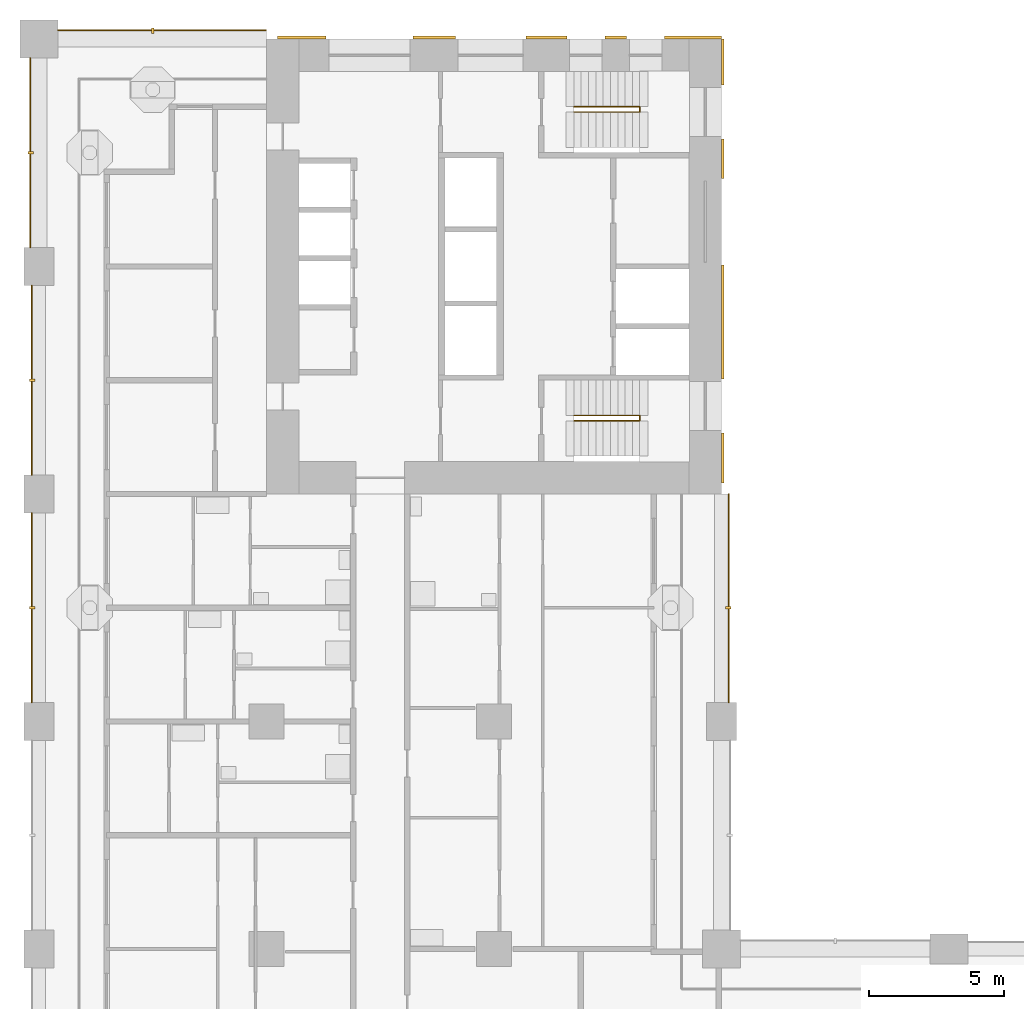
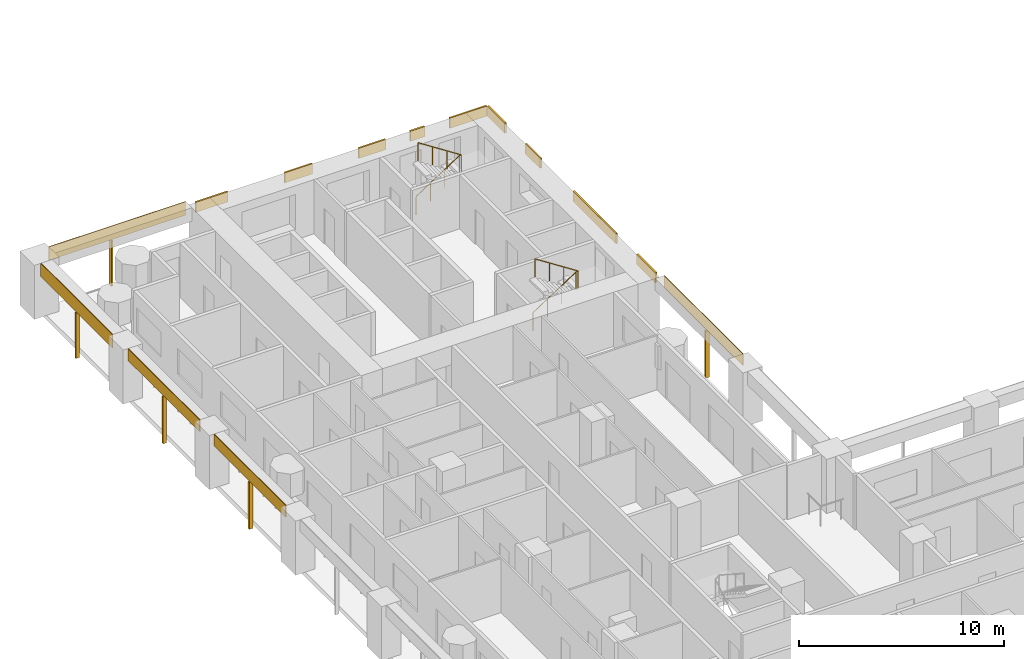
# One storey, part 17 of 23: 19 shading devices, 2 railings.
"""IFC4 building model written with IfcOpenShell, lengths in metres."""

from ifc_helpers import new_model, si_unit, direction, frame, origin, origin_2d, place, context, subcontext, project, spatial, rectangle, circle, extrude, material, layer, layer_set, material_profile, profile_set, type_object, element, save


model = new_model("IFC4")

# Units and contexts
model_context = context("Model", 3, precision=1e-05, world=origin(), true_north=direction((0.0, 1.0)))
body_context = subcontext(model_context, "Body", "Model", "MODEL_VIEW")
ifc_project = project(units=[si_unit("LENGTHUNIT", "METRE"), si_unit("AREAUNIT", "SQUARE_METRE"), si_unit("VOLUMEUNIT", "CUBIC_METRE"), si_unit("PLANEANGLEUNIT", "RADIAN"), si_unit("MASSUNIT", "GRAM", prefix="KILO")], contexts=[model_context])

# Site, building, storey
site_placement = place(None, origin())
site = spatial("IfcSite", under=ifc_project, at=site_placement, CompositionType="ELEMENT")
building_placement = place(site_placement, origin())
building = spatial("IfcBuilding", under=site, at=building_placement, Name="Vermilion Gate Residences", CompositionType="ELEMENT")
storey_placement = place(building_placement, frame((0.0, 0.0, 25.199951171875)))
storey = spatial("IfcBuildingStorey", under=building, at=storey_placement, Name="L04", CompositionType="ELEMENT", Elevation=25.199951171875)

# Shading devices
ifc_material_1 = material(Name="Perforated terracotta", Category="masonry")
ifc_layer_1 = layer(ifc_material_1, 0.0400390625)
ifc_layer_set_1 = layer_set([ifc_layer_1], Name="PERFORATED TERRACOTTA SCREEN 40")
shading_device_type_1 = type_object("IfcShadingDeviceType", Name="PERFORATED TERRACOTTA SCREEN 40", PredefinedType="SHUTTER", material=ifc_layer_set_1)
shading_device_1_placement = place(storey_placement, frame((25.469970703125, 38.14990234375, 2.52001953125), z_axis=(0.0, 0.0, 1.0), x_axis=(0.0, 1.0, 0.0)))
element("IfcShadingDevice", 1, at=shading_device_1_placement, inside=storey, type_object=shading_device_type_1, Name="SCREEN", PredefinedType="SHUTTER", context=body_context, shape_type="SweptSolid", body=[
    extrude(rectangle(XDim=7.699951171875, YDim=0.0400390625, at=origin_2d()), origin(), (0.0, 0.0, 1.0), 0.699951171875),
])
shading_device_2_placement = place(storey_placement, frame((4.550048828125, 59.1201171875, 2.419921875), z_axis=(0.0, 0.0, 1.0), x_axis=(-1.0, 0.0, 0.0)))
element("IfcShadingDevice", 2, at=shading_device_2_placement, inside=storey, type_object=shading_device_type_1, Name="SCREEN", PredefinedType="SHUTTER", context=body_context, shape_type="SweptSolid", body=[
    extrude(rectangle(XDim=7.699951171875, YDim=0.0400390625, at=origin_2d()), origin(), (0.0, 0.0, 1.0), 0.800048828125),
])
for number, where, z_axis, x_axis, name in (
    (3, (-0.27001953125, 37.800048828125, 2.52001953125), (0.0, 0.0, 1.0), (0.0, -1.0, 0.0), "SCREEN"),
    (4, (-0.27001953125, 46.199951171875, 2.52001953125), (0.0, 0.0, 1.0), (0.0, -1.0, 0.0), "SCREEN"),
):
    element("IfcShadingDevice", number, at=place(storey_placement, frame(where, z_axis=z_axis, x_axis=x_axis)), inside=storey, type_object=shading_device_type_1, Name=name, PredefinedType="SHUTTER", context=body_context, shape_type="SweptSolid", body=[
        extrude(rectangle(XDim=7.0, YDim=0.0400390625, at=origin_2d()), origin(), (0.0, 0.0, 1.0), 0.699951171875),
    ])
shading_device_3_placement = place(storey_placement, frame((-0.320068359375, 54.60009765625, 2.419921875), z_axis=(0.0, 0.0, 1.0), x_axis=(0.0, -1.0, 0.0)))
element("IfcShadingDevice", 5, at=shading_device_3_placement, inside=storey, type_object=shading_device_type_1, Name="SCREEN", PredefinedType="SHUTTER", context=body_context, shape_type="SweptSolid", body=[
    extrude(rectangle(XDim=7.0, YDim=0.0400390625, at=origin_2d()), origin(), (0.0, 0.0, 1.0), 0.800048828125),
])

# Railings
ifc_material_2 = material(Name="Steel S355", Category="steel")
railing_type = type_object("IfcRailingType", Name="STAIR GUARD 1100 STEEL", PredefinedType="GUARDRAIL", material=ifc_material_2)
for number, where, name in (
    (6, (19.75, 56.300048828125, 0.175048828125), "Stair well guard STB1-04"),
    (7, (19.75, 44.89990234375, 0.175048828125), "Stair well guard STB2-04"),
):
    element("IfcRailing", number, at=place(storey_placement, frame(where)), inside=storey, type_object=railing_type, Name=name, PredefinedType="GUARDRAIL", context=body_context, shape_type="SweptSolid", body=[
        extrude(circle(Radius=0.02392578125, at=origin_2d()), frame((0.0, 0.0, 1.076171875), z_axis=(0.839153699163, 0.0, 0.543894354798), x_axis=(0.0, 1.0, 0.0)), (0.0, 0.0, 1.0), 2.895751953125),
        extrude(circle(Radius=0.02392578125, at=origin_2d()), frame((2.429931640625, 0.0, 2.65087890625), z_axis=(0.0, -0.752405939678, 0.658699705433), x_axis=(1.0, 0.0, 0.0)), (0.0, 0.0, 1.0), 0.265869140625),
        extrude(circle(Radius=0.02392578125, at=origin_2d()), frame((2.429931640625, -0.199951171875, 2.826171875), z_axis=(-0.839153699163, 0.0, 0.543894354798), x_axis=(0.0, -1.0, 0.0)), (0.0, 0.0, 1.0), 2.895751953125),
        extrude(circle(Radius=0.02099609375, at=origin_2d()), origin(), (0.0, 0.0, 1.0), 1.052001953125),
        extrude(circle(Radius=0.02099609375, at=origin_2d()), frame((0.81005859375, 0.0, 0.52490234375)), (0.0, 0.0, 1.0), 1.052001953125),
        extrude(circle(Radius=0.02099609375, at=origin_2d()), frame((1.619873046875, 0.0, 1.050048828125)), (0.0, 0.0, 1.0), 1.052001953125),
        extrude(circle(Radius=0.02099609375, at=origin_2d()), frame((2.429931640625, 0.0, 1.574951171875)), (0.0, 0.0, 1.0), 1.052001953125),
        extrude(circle(Radius=0.02099609375, at=origin_2d()), frame((2.429931640625, -0.199951171875, 1.75)), (0.0, 0.0, 1.0), 1.052001953125),
        extrude(circle(Radius=0.02099609375, at=origin_2d()), frame((1.619873046875, -0.199951171875, 2.27490234375)), (0.0, 0.0, 1.0), 1.052001953125),
        extrude(circle(Radius=0.02099609375, at=origin_2d()), frame((0.81005859375, -0.199951171875, 2.800048828125)), (0.0, 0.0, 1.0), 1.052001953125),
        extrude(circle(Radius=0.02099609375, at=origin_2d()), frame((0.0, -0.199951171875, 3.324951171875)), (0.0, 0.0, 1.0), 1.052001953125),
    ])

# Shading devices
ifc_material_3 = material(Name="Extruded terracotta", Category="masonry")
ifc_material_profile = material_profile(ifc_material_3, rectangle(XDim=0.199951171875, YDim=0.10009765625, at=origin_2d()), Name="BAGUETTE 100 X 200")
ifc_profile_set = profile_set([ifc_material_profile], Name="Extruded terracotta")
shading_device_type_2 = type_object("IfcShadingDeviceType", Name="TERRACOTTA BAGUETTE 100 X 200", PredefinedType="JALOUSIE", material=ifc_profile_set)
shading_device_4_placement = place(storey_placement, frame((25.449951171875, 37.800048828125, -0.280029296875), z_axis=(0.0, 0.0, 1.0), x_axis=(-1.0, 0.0, 0.0)))
element("IfcShadingDevice", 8, at=shading_device_4_placement, inside=storey, type_object=shading_device_type_2, Name="BAGUETTE", PredefinedType="JALOUSIE", context=body_context, shape_type="SweptSolid", body=[
    extrude(rectangle(XDim=0.199951171875, YDim=0.10009765625, at=origin_2d()), origin(), (0.0, 0.0, 1.0), 2.800048828125),
])
shading_device_5_placement = place(storey_placement, frame((4.199951171875, 59.10009765625, -0.280029296875), z_axis=(0.0, 0.0, 1.0), x_axis=(0.0, -1.0, 0.0)))
element("IfcShadingDevice", 9, at=shading_device_5_placement, inside=storey, type_object=shading_device_type_2, Name="BAGUETTE", PredefinedType="JALOUSIE", context=body_context, shape_type="SweptSolid", body=[
    extrude(rectangle(XDim=0.199951171875, YDim=0.10009765625, at=origin_2d()), origin(), (0.0, 0.0, 1.0), 2.7001953125),
])
for number, where, z_axis, x_axis, name in (
    (10, (-0.25, 37.800048828125, -0.280029296875), (0.0, 0.0, 1.0), (1.0, 0.0, 0.0), "BAGUETTE"),
    (11, (-0.25, 46.199951171875, -0.280029296875), (0.0, 0.0, 1.0), (1.0, 0.0, 0.0), "BAGUETTE"),
):
    element("IfcShadingDevice", number, at=place(storey_placement, frame(where, z_axis=z_axis, x_axis=x_axis)), inside=storey, type_object=shading_device_type_2, Name=name, PredefinedType="JALOUSIE", context=body_context, shape_type="SweptSolid", body=[
        extrude(rectangle(XDim=0.199951171875, YDim=0.10009765625, at=origin_2d()), origin(), (0.0, 0.0, 1.0), 2.800048828125),
    ])
shading_device_6_placement = place(storey_placement, frame((-0.300048828125, 54.60009765625, -0.280029296875), z_axis=(0.0, 0.0, 1.0), x_axis=(1.0, 0.0, 0.0)))
element("IfcShadingDevice", 12, at=shading_device_6_placement, inside=storey, type_object=shading_device_type_2, Name="BAGUETTE", PredefinedType="JALOUSIE", context=body_context, shape_type="SweptSolid", body=[
    extrude(rectangle(XDim=0.199951171875, YDim=0.10009765625, at=origin_2d()), origin(), (0.0, 0.0, 1.0), 2.7001953125),
])
ifc_material_4 = material(Name="Extruded terracotta", Category="masonry")
ifc_layer_2 = layer(ifc_material_4, 0.10009765625)
ifc_layer_set_2 = layer_set([ifc_layer_2], Name="TERRACOTTA SPANDREL BAND 600 X 100")
shading_device_type_3 = type_object("IfcShadingDeviceType", Name="TERRACOTTA SPANDREL BAND 600 X 100", PredefinedType="USERDEFINED", material=ifc_layer_set_2)
shading_device_7_placement = place(storey_placement, frame((9.702392578125, 58.85009765625, 2.6201171875), z_axis=(0.0, 0.0, 1.0), x_axis=(1.0, 0.0, 0.0)))
element("IfcShadingDevice", 13, at=shading_device_7_placement, inside=storey, type_object=shading_device_type_3, Name="SPANDREL BAND", ObjectType="BAND", PredefinedType="USERDEFINED", context=body_context, shape_type="SweptSolid", body=[
    extrude(rectangle(XDim=1.804931640625, YDim=0.10009765625, at=origin_2d()), origin(), (0.0, 0.0, 1.0), 0.60009765625),
])
shading_device_8_placement = place(storey_placement, frame((14.590087890625, 58.85009765625, 2.6201171875), z_axis=(0.0, 0.0, 1.0), x_axis=(1.0, 0.0, 0.0)))
element("IfcShadingDevice", 14, at=shading_device_8_placement, inside=storey, type_object=shading_device_type_3, Name="SPANDREL BAND", ObjectType="BAND", PredefinedType="USERDEFINED", context=body_context, shape_type="SweptSolid", body=[
    extrude(rectangle(XDim=1.570068359375, YDim=0.10009765625, at=origin_2d()), origin(), (0.0, 0.0, 1.0), 0.60009765625),
])
shading_device_9_placement = place(storey_placement, frame((18.734130859375, 58.85009765625, 2.6201171875), z_axis=(0.0, 0.0, 1.0), x_axis=(1.0, 0.0, 0.0)))
element("IfcShadingDevice", 15, at=shading_device_9_placement, inside=storey, type_object=shading_device_type_3, Name="SPANDREL BAND", ObjectType="BAND", PredefinedType="USERDEFINED", context=body_context, shape_type="SweptSolid", body=[
    extrude(rectangle(XDim=1.518310546875, YDim=0.10009765625, at=origin_2d()), origin(), (0.0, 0.0, 1.0), 0.60009765625),
])
shading_device_10_placement = place(storey_placement, frame((21.294921875, 58.85009765625, 2.6201171875), z_axis=(0.0, 0.0, 1.0), x_axis=(1.0, 0.0, 0.0)))
element("IfcShadingDevice", 16, at=shading_device_10_placement, inside=storey, type_object=shading_device_type_3, Name="SPANDREL BAND", ObjectType="BAND", PredefinedType="USERDEFINED", context=body_context, shape_type="SweptSolid", body=[
    extrude(rectangle(XDim=0.803466796875, YDim=0.10009765625, at=origin_2d()), origin(), (0.0, 0.0, 1.0), 0.60009765625),
])
shading_device_11_placement = place(storey_placement, frame((24.1484375, 58.85009765625, 2.6201171875), z_axis=(0.0, 0.0, 1.0), x_axis=(1.0, 0.0, 0.0)))
element("IfcShadingDevice", 17, at=shading_device_11_placement, inside=storey, type_object=shading_device_type_3, Name="SPANDREL BAND", ObjectType="BAND", PredefinedType="USERDEFINED", context=body_context, shape_type="SweptSolid", body=[
    extrude(rectangle(XDim=2.103271484375, YDim=0.10009765625, at=origin_2d()), origin(), (0.0, 0.0, 1.0), 0.60009765625),
])
shading_device_12_placement = place(storey_placement, frame((25.25, 43.324951171875, 2.6201171875), z_axis=(0.0, 0.0, 1.0), x_axis=(0.0, 1.0, 0.0)))
element("IfcShadingDevice", 18, at=shading_device_12_placement, inside=storey, type_object=shading_device_type_3, Name="SPANDREL BAND", ObjectType="BAND", PredefinedType="USERDEFINED", context=body_context, shape_type="SweptSolid", body=[
    extrude(rectangle(XDim=1.85009765625, YDim=0.10009765625, at=origin_2d()), origin(), (0.0, 0.0, 1.0), 0.60009765625),
])
shading_device_13_placement = place(storey_placement, frame((25.25, 48.35009765625, 2.6201171875), z_axis=(0.0, 0.0, 1.0), x_axis=(0.0, 1.0, 0.0)))
element("IfcShadingDevice", 19, at=shading_device_13_placement, inside=storey, type_object=shading_device_type_3, Name="SPANDREL BAND", ObjectType="BAND", PredefinedType="USERDEFINED", context=body_context, shape_type="SweptSolid", body=[
    extrude(rectangle(XDim=4.199951171875, YDim=0.10009765625, at=origin_2d()), origin(), (0.0, 0.0, 1.0), 0.60009765625),
])
shading_device_14_placement = place(storey_placement, frame((25.25, 54.375, 2.6201171875), z_axis=(0.0, 0.0, 1.0), x_axis=(0.0, 1.0, 0.0)))
element("IfcShadingDevice", 20, at=shading_device_14_placement, inside=storey, type_object=shading_device_type_3, Name="SPANDREL BAND", ObjectType="BAND", PredefinedType="USERDEFINED", context=body_context, shape_type="SweptSolid", body=[
    extrude(rectangle(XDim=1.449951171875, YDim=0.10009765625, at=origin_2d()), origin(), (0.0, 0.0, 1.0), 0.60009765625),
])
shading_device_15_placement = place(storey_placement, frame((25.25, 57.949951171875, 2.6201171875), z_axis=(0.0, 0.0, 1.0), x_axis=(0.0, 1.0, 0.0)))
element("IfcShadingDevice", 21, at=shading_device_15_placement, inside=storey, type_object=shading_device_type_3, Name="SPANDREL BAND", ObjectType="BAND", PredefinedType="USERDEFINED", context=body_context, shape_type="SweptSolid", body=[
    extrude(rectangle(XDim=1.699951171875, YDim=0.10009765625, at=origin_2d()), origin(), (0.0, 0.0, 1.0), 0.60009765625),
])

save(model, "model.ifc")
